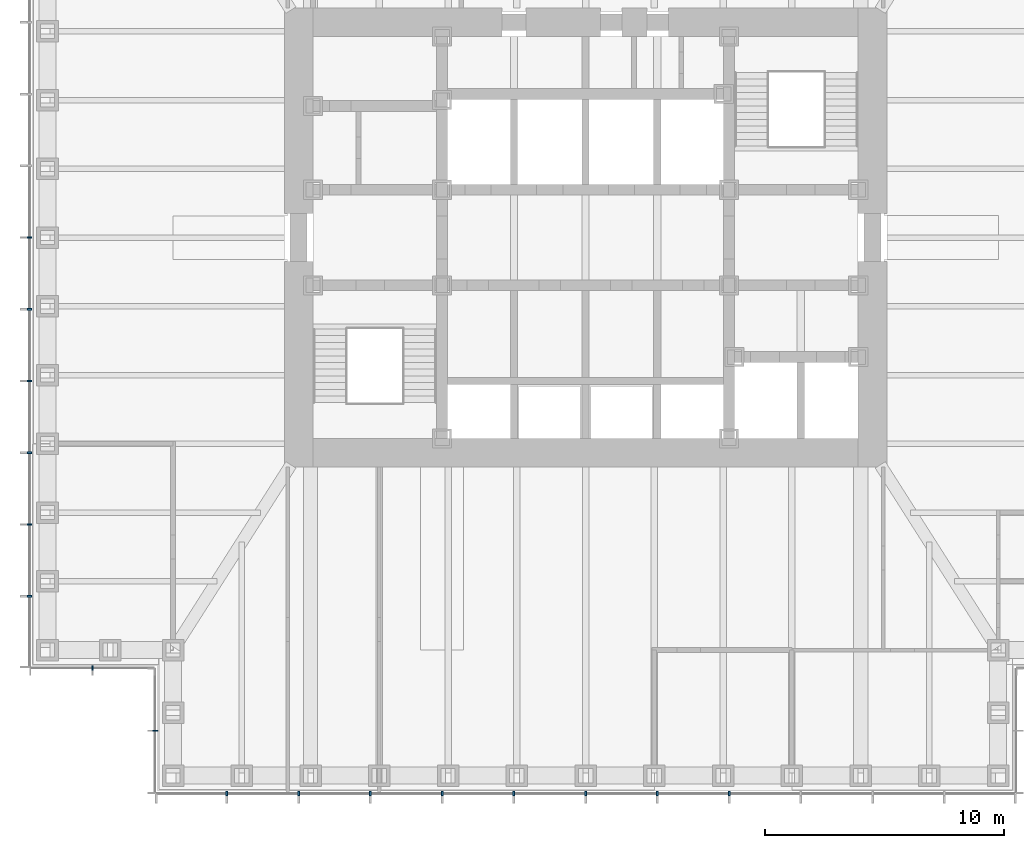
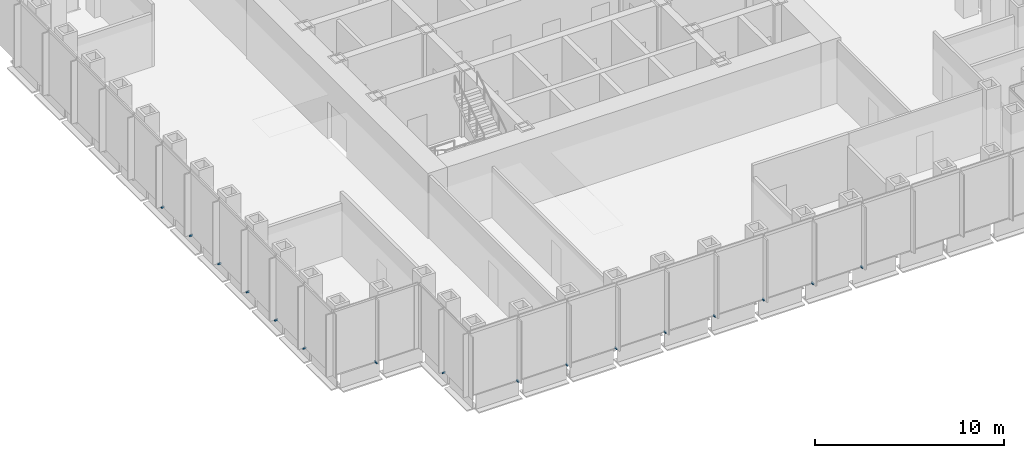
# One storey, part 12 of 17: 16 discrete accessories.
"""IFC4 building model written with IfcOpenShell, lengths in metres."""

from ifc_helpers import new_model, si_unit, direction, frame, origin, origin_2d, place, context, subcontext, project, spatial, rectangle, extrude, element, save


model = new_model("IFC4")

# Units and contexts
model_context = context("Model", 3, precision=1e-05, world=origin(), true_north=direction((0.0, 1.0)))
body_context = subcontext(model_context, "Body", "Model", "MODEL_VIEW")
ifc_project = project(units=[si_unit("LENGTHUNIT", "METRE"), si_unit("AREAUNIT", "SQUARE_METRE"), si_unit("VOLUMEUNIT", "CUBIC_METRE"), si_unit("PLANEANGLEUNIT", "RADIAN"), si_unit("MASSUNIT", "GRAM", prefix="KILO")], contexts=[model_context])

# Site, building, storey
site_placement = place(None, origin())
site = spatial("IfcSite", under=ifc_project, at=site_placement, CompositionType="ELEMENT")
building_placement = place(site_placement, origin())
building = spatial("IfcBuilding", under=site, at=building_placement, Name="Daluyong Arena Tower", CompositionType="ELEMENT")
storey_placement = place(building_placement, frame((0.0, 0.0, 129.10009765625)))
storey = spatial("IfcBuildingStorey", under=building, at=storey_placement, Name="L28", CompositionType="ELEMENT", Elevation=129.10009765625)

# Discrete accessories
for number, where, z_axis, x_axis, name in (
    (1, (41.0, 56.75, -0.10009765625), (0.0, 0.0, 1.0), (1.0, 0.0, 0.0), "curtain wall L28 S anchor bracket 2"),
    (2, (44.0, 56.75, -0.10009765625), (0.0, 0.0, 1.0), (1.0, 0.0, 0.0), "curtain wall L28 S anchor bracket 3"),
    (3, (47.0, 56.75, -0.10009765625), (0.0, 0.0, 1.0), (1.0, 0.0, 0.0), "curtain wall L28 S anchor bracket 4"),
    (4, (50.0, 56.75, -0.10009765625), (0.0, 0.0, 1.0), (1.0, 0.0, 0.0), "curtain wall L28 S anchor bracket 5"),
    (5, (53.0, 56.75, -0.10009765625), (0.0, 0.0, 1.0), (1.0, 0.0, 0.0), "curtain wall L28 S anchor bracket 6"),
    (6, (56.0, 56.75, -0.10009765625), (0.0, 0.0, 1.0), (1.0, 0.0, 0.0), "curtain wall L28 S anchor bracket 7"),
    (7, (59.0, 56.75, -0.10009765625), (0.0, 0.0, 1.0), (1.0, 0.0, 0.0), "curtain wall L28 S anchor bracket 8"),
    (8, (62.0, 56.75, -0.10009765625), (0.0, 0.0, 1.0), (1.0, 0.0, 0.0), "curtain wall L28 S anchor bracket 9"),
    (9, (32.75, 80.0, -0.10009765625), (0.0, 0.0, 1.0), (0.0, -1.0, 0.0), "curtain wall L28 W anchor bracket 7"),
    (10, (32.75, 77.0, -0.10009765625), (0.0, 0.0, 1.0), (0.0, -1.0, 0.0), "curtain wall L28 W anchor bracket 8"),
    (11, (32.75, 74.0, -0.10009765625), (0.0, 0.0, 1.0), (0.0, -1.0, 0.0), "curtain wall L28 W anchor bracket 9"),
    (12, (32.75, 71.0, -0.10009765625), (0.0, 0.0, 1.0), (0.0, -1.0, 0.0), "curtain wall L28 W anchor bracket 10"),
    (13, (32.75, 68.0, -0.10009765625), (0.0, 0.0, 1.0), (0.0, -1.0, 0.0), "curtain wall L28 W anchor bracket 11"),
    (14, (32.75, 65.0, -0.10009765625), (0.0, 0.0, 1.0), (0.0, -1.0, 0.0), "curtain wall L28 W anchor bracket 12"),
):
    element("IfcDiscreteAccessory", number, at=place(storey_placement, frame(where, z_axis=z_axis, x_axis=x_axis)), inside=storey, Name=name, PredefinedType="BRACKET", context=body_context, shape_type="SweptSolid", body=[
        extrude(rectangle(XDim=0.080078125, YDim=0.199951171875, at=origin_2d()), origin(), (0.0, 0.0, 1.0), 0.10009765625),
    ])
for number, where, z_axis, x_axis, name in (
    (15, (35.375, 62.0, -0.10009765625), (0.0, 0.0, 1.0), (1.0, 0.0, 0.0), "curtain wall L28 SW-S anchor bracket 2"),
    (16, (38.0, 59.375, -0.10009765625), (0.0, 0.0, 1.0), (0.0, -1.0, 0.0), "curtain wall L28 SW-W anchor bracket 2"),
):
    element("IfcDiscreteAccessory", number, at=place(storey_placement, frame(where, z_axis=z_axis, x_axis=x_axis)), inside=storey, Name=name, PredefinedType="BRACKET", context=body_context, shape_type="SweptSolid", body=[
        extrude(rectangle(XDim=0.06005859375, YDim=0.199951171875, at=origin_2d()), origin(), (0.0, 0.0, 1.0), 0.10009765625),
    ])

save(model, "model.ifc")
